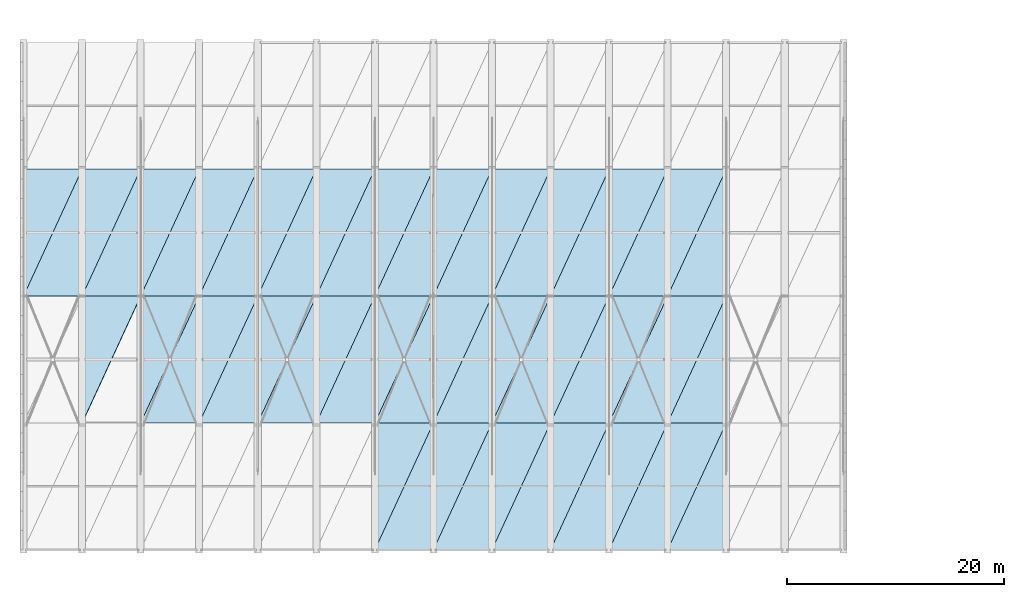
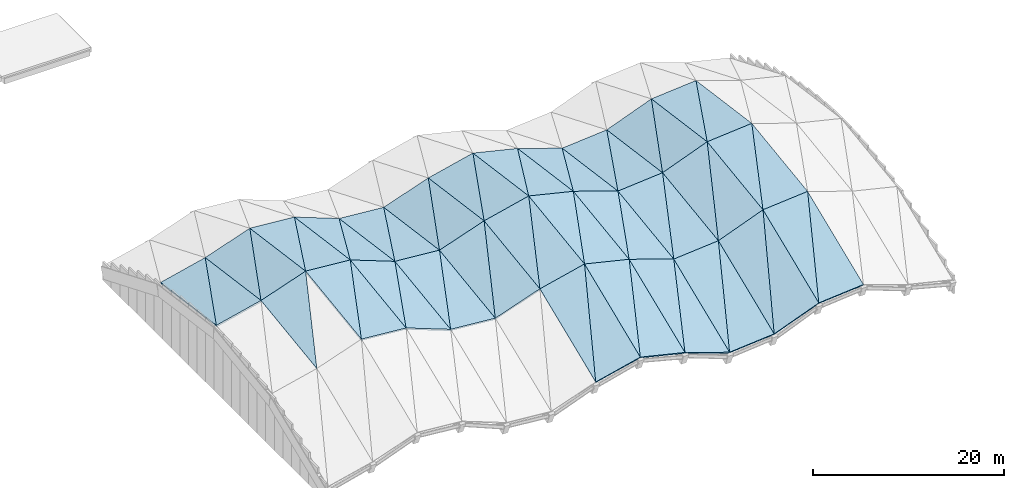
# One storey, part 6 of 22: 57 slabs.
"""IFC4 building model written with IfcOpenShell, lengths in metres."""

from ifc_helpers import new_model, si_unit, direction, frame, origin, place, context, subcontext, project, spatial, polyline, outline, extrude, material, layer, layer_set, type_object, element, save


model = new_model("IFC4")

# Units and contexts
model_context = context("Model", 3, precision=1e-05, world=origin(), true_north=direction((0.0, 1.0)))
body_context = subcontext(model_context, "Body", "Model", "MODEL_VIEW")
ifc_project = project(units=[si_unit("LENGTHUNIT", "METRE"), si_unit("AREAUNIT", "SQUARE_METRE"), si_unit("VOLUMEUNIT", "CUBIC_METRE"), si_unit("PLANEANGLEUNIT", "RADIAN"), si_unit("MASSUNIT", "GRAM", prefix="KILO")], contexts=[model_context])

# Site, building, storey
site_placement = place(None, origin())
site = spatial("IfcSite", under=ifc_project, at=site_placement, CompositionType="ELEMENT")
building_placement = place(site_placement, origin())
building = spatial("IfcBuilding", under=site, at=building_placement, Name="Lusvemor Sports Hall", CompositionType="ELEMENT")
storey_placement = place(building_placement, frame((0.0, 0.0, 23.39990234375)))
storey = spatial("IfcBuildingStorey", under=building, at=storey_placement, Name="Roof", CompositionType="ELEMENT", Elevation=23.39990234375)

# Slabs
ifc_material_1 = material(Name="Concrete C40/50", Category="concrete")
ifc_layer_1 = layer(ifc_material_1, 0.2099609375)
ifc_layer_set_1 = layer_set([ifc_layer_1], Name="Concrete C40/50")
slab_type_1 = type_object("IfcSlabType", Name="ROOF_WAVE_210", PredefinedType="ROOF", material=ifc_layer_set_1)
slab_1_placement = place(storey_placement, frame((0.0, 23.39990234375, -4.52978515625), z_axis=(-0.230397082563, 0.13244404407, 0.964041368167), x_axis=(0.972609588082, 0.0, 0.232444808871)))
element("IfcSlab", 1, at=slab_1_placement, inside=storey, type_object=slab_type_1, Name="Wave Barrel-Vault Roof Facet 01-3A", PredefinedType="ROOF", context=body_context, shape_type="SweptSolid", body=[
    extrude(outline(polyline([(0.0, 0.0), (5.551973175998167, 2.7755575615628914e-17), (5.178336305489252, 11.804184466699587), (0.0, 0.0)])), origin(), (0.0, 0.0, -1.0), 0.2099609375),
])
slab_2_placement = place(storey_placement, frame((0.0, 23.39990234375, -4.52978515625), z_axis=(-0.230437740563, 0.132462476852, 0.964029117792), x_axis=(0.418919509674, 0.907690504641, -0.024584389346)))
element("IfcSlab", 2, at=slab_2_placement, inside=storey, type_object=slab_type_1, Name="Wave Barrel-Vault Roof Facet 01-3B", PredefinedType="ROOF", context=body_context, shape_type="SweptSolid", body=[
    extrude(outline(polyline([(0.0, 0.0), (12.890071288267565, -6.800116025829084e-16), (10.659679674862543, 5.084327841294749), (0.0, 0.0)])), origin(), (0.0, 0.0, -1.0), 0.2099609375),
])
slab_3_placement = place(storey_placement, frame((5.39990234375, 11.699951171875, -4.8466796875), z_axis=(-0.323721555088, -0.128779407177, 0.937347437751), x_axis=(0.404635258661, 0.876682286758, 0.260189307108)))
element("IfcSlab", 3, at=slab_3_placement, inside=storey, type_object=slab_type_1, Name="Wave Barrel-Vault Roof Facet 02-2B", PredefinedType="ROOF", context=body_context, shape_type="SweptSolid", body=[
    extrude(outline(polyline([(0.0, 0.0), (13.345714118558847, 2.220446049250313e-16), (10.675373932202008, 5.050648860903866), (0.0, 0.0)])), origin(), (0.0, 0.0, -1.0), 0.2099609375),
])
slab_4_placement = place(storey_placement, frame((5.39990234375, 23.39990234375, -3.2392578125), z_axis=(-0.323721667111, 0.128776764581, 0.937347762118), x_axis=(0.945218017812, 0.0, 0.326439732269)))
element("IfcSlab", 4, at=slab_4_placement, inside=storey, type_object=slab_type_1, Name="Wave Barrel-Vault Roof Facet 02-3A", PredefinedType="ROOF", context=body_context, shape_type="SweptSolid", body=[
    extrude(outline(polyline([(0.0, 0.0), (5.713122668648188, -2.7755575615628914e-17), (5.188396302129424, 11.798433695840965), (0.0, 0.0)])), origin(), (0.0, 0.0, -1.0), 0.2099609375),
])
slab_5_placement = place(storey_placement, frame((5.39990234375, 23.39990234375, -3.2392578125), z_axis=(-0.323721667111, 0.128776764581, 0.937347762118), x_axis=(0.418978096704, 0.907776405192, 0.019983809938)))
element("IfcSlab", 5, at=slab_5_placement, inside=storey, type_object=slab_type_1, Name="Wave Barrel-Vault Roof Facet 02-3B", PredefinedType="ROOF", context=body_context, shape_type="SweptSolid", body=[
    extrude(outline(polyline([(0.0, 0.0), (12.888851533907346, -2.3592239273284576e-16), (10.589038827581613, 5.229783183158218), (0.0, 0.0)])), origin(), (0.0, 0.0, -1.0), 0.2099609375),
])
slab_6_placement = place(storey_placement, frame((10.800048828125, 11.699951171875, -2.981689453125), z_axis=(0.084220885197, -0.135624946613, 0.987174106403), x_axis=(0.996380411873, 0.0, -0.085006322326)))
element("IfcSlab", 6, at=slab_6_placement, inside=storey, type_object=slab_type_1, Name="Wave Barrel-Vault Roof Facet 03-2A", PredefinedType="ROOF", context=body_context, shape_type="SweptSolid", body=[
    extrude(outline(polyline([(0.0, 0.0), (5.419518769541163, -6.938893903907228e-18), (5.282877747521176, 11.8090639654288), (0.0, 0.0)])), origin(), (0.0, 0.0, -1.0), 0.2099609375),
])
slab_7_placement = place(storey_placement, frame((10.800048828125, 11.699951171875, -2.981689453125), z_axis=(0.084220885197, -0.135624946613, 0.987174106403), x_axis=(0.417403852805, 0.904387595533, 0.0886402883)))
element("IfcSlab", 7, at=slab_7_placement, inside=storey, type_object=slab_type_1, Name="Wave Barrel-Vault Roof Facet 03-2B", PredefinedType="ROOF", context=body_context, shape_type="SweptSolid", body=[
    extrude(outline(polyline([(0.0, 0.0), (12.936877097462258, -5.551115123125783e-17), (10.723773046601432, 4.947055099094043), (0.0, 0.0)])), origin(), (0.0, 0.0, -1.0), 0.2099609375),
])
slab_8_placement = place(storey_placement, frame((10.800048828125, 23.39990234375, -1.374267578125), z_axis=(0.084220917522, 0.135622168667, 0.987174485295), x_axis=(0.996380411873, 0.0, -0.085006322326)))
element("IfcSlab", 8, at=slab_8_placement, inside=storey, type_object=slab_type_1, Name="Wave Barrel-Vault Roof Facet 03-3A", PredefinedType="ROOF", context=body_context, shape_type="SweptSolid", body=[
    extrude(outline(polyline([(0.0, 0.0), (5.419518769541163, -6.938893903907228e-18), (5.556159791561151, 11.80930585030199), (0.0, 0.0)])), origin(), (0.0, 0.0, -1.0), 0.2099609375),
])
slab_9_placement = place(storey_placement, frame((10.800048828125, 23.39990234375, -1.374267578125), z_axis=(0.084220917522, 0.135622168667, 0.987174485295), x_axis=(0.413751467223, 0.8964926899, -0.158463182876)))
element("IfcSlab", 9, at=slab_9_placement, inside=storey, type_object=slab_type_1, Name="Wave Barrel-Vault Roof Facet 03-3B", PredefinedType="ROOF", context=body_context, shape_type="SweptSolid", body=[
    extrude(outline(polyline([(0.0, 0.0), (13.05107720823602, 1.2975731600306517e-15), (10.74385675459153, 4.903867603401777), (0.0, 0.0)])), origin(), (0.0, 0.0, -1.0), 0.2099609375),
])
slab_10_placement = place(storey_placement, frame((16.199951171875, 11.699951171875, -3.4423828125), z_axis=(0.355027562363, -0.127260816691, 0.926153396851), x_axis=(0.933745411849, 0.0, -0.35793785194)))
element("IfcSlab", 10, at=slab_10_placement, inside=storey, type_object=slab_type_1, Name="Wave Barrel-Vault Roof Facet 04-2A", PredefinedType="ROOF", context=body_context, shape_type="SweptSolid", body=[
    extrude(outline(polyline([(0.0, 0.0), (5.783317825019924, -2.7755575615628914e-17), (5.20787330474988, 11.795859911263186), (0.0, 0.0)])), origin(), (0.0, 0.0, -1.0), 0.2099609375),
])
slab_11_placement = place(storey_placement, frame((16.199951171875, 11.699951171875, -3.4423828125), z_axis=(0.35499184085, -0.127243695197, 0.926169441821), x_axis=(0.418799442409, 0.907370391002, -0.035860850125)))
element("IfcSlab", 11, at=slab_11_placement, inside=storey, type_object=slab_type_1, Name="Wave Barrel-Vault Roof Facet 04-2B", PredefinedType="ROOF", context=body_context, shape_type="SweptSolid", body=[
    extrude(outline(polyline([(0.0, 0.0), (12.89434974725257, 3.3306690738754696e-16), (10.558545754575416, 5.290536273103625), (0.0, 0.0)])), origin(), (0.0, 0.0, -1.0), 0.2099609375),
])
slab_12_placement = place(storey_placement, frame((16.199951171875, 23.39990234375, -1.8349609375), z_axis=(0.35499108778, 0.127260095913, 0.926167477071), x_axis=(0.93375952043, 0.0, -0.357901044993)))
element("IfcSlab", 12, at=slab_12_placement, inside=storey, type_object=slab_type_1, Name="Wave Barrel-Vault Roof Facet 04-3A", PredefinedType="ROOF", context=body_context, shape_type="SweptSolid", body=[
    extrude(outline(polyline([(0.0, 0.0), (5.783230442342041, -2.7755575615628914e-17), (6.358615789334087, 11.79610495336954), (0.0, 0.0)])), origin(), (0.0, 0.0, -1.0), 0.2099609375),
])
slab_13_placement = place(storey_placement, frame((16.199951171875, 23.39990234375, -1.8349609375), z_axis=(0.355028555404, 0.127239191655, 0.926155987377), x_axis=(0.402973467223, 0.873100069768, -0.27442422066)))
element("IfcSlab", 13, at=slab_13_placement, inside=storey, type_object=slab_type_1, Name="Wave Barrel-Vault Roof Facet 04-3B", PredefinedType="ROOF", context=body_context, shape_type="SweptSolid", body=[
    extrude(outline(polyline([(0.0, 0.0), (13.400749487520395, 1.1102230246251565e-15), (10.656556838964107, 5.0907928432418865), (0.0, 0.0)])), origin(), (0.0, 0.0, -1.0), 0.2099609375),
])
slab_14_placement = place(storey_placement, frame((21.60009765625, 11.699951171875, -5.512451171875), z_axis=(0.08417656937, -0.13562545629, 0.987177816189), x_axis=(0.996384226422, 0.0, -0.084961599197)))
element("IfcSlab", 14, at=slab_14_placement, inside=storey, type_object=slab_type_1, Name="Wave Barrel-Vault Roof Facet 05-2A", PredefinedType="ROOF", context=body_context, shape_type="SweptSolid", body=[
    extrude(outline(polyline([(0.0, 0.0), (5.419498021503858, 1.3877787807814457e-17), (5.282928888420194, 11.809064797026753), (0.0, 0.0)])), origin(), (0.0, 0.0, -1.0), 0.2099609375),
])
slab_15_placement = place(storey_placement, frame((21.60009765625, 11.699951171875, -5.512451171875), z_axis=(0.084220649887, -0.135645166797, 0.987171348276), x_axis=(0.417403154503, 0.904386082524, 0.088659011658)))
element("IfcSlab", 15, at=slab_15_placement, inside=storey, type_object=slab_type_1, Name="Wave Barrel-Vault Roof Facet 05-2B", PredefinedType="ROOF", context=body_context, shape_type="SweptSolid", body=[
    extrude(outline(polyline([(0.0, 0.0), (12.93689874044321, -4.996003610813204e-16), (10.723807086072203, 4.947060644742731), (0.0, 0.0)])), origin(), (0.0, 0.0, -1.0), 0.2099609375),
])
slab_16_placement = place(storey_placement, frame((21.60009765625, 23.39990234375, -3.90478515625), z_axis=(0.084220917522, 0.135622168667, 0.987174485295), x_axis=(0.996380411873, 0.0, -0.085006322326)))
element("IfcSlab", 16, at=slab_16_placement, inside=storey, type_object=slab_type_1, Name="Wave Barrel-Vault Roof Facet 05-3A", PredefinedType="ROOF", context=body_context, shape_type="SweptSolid", body=[
    extrude(outline(polyline([(0.0, 0.0), (5.419518769541163, -6.938893903907228e-18), (5.556159791561151, 11.80930585030199), (0.0, 0.0)])), origin(), (0.0, 0.0, -1.0), 0.2099609375),
])
slab_17_placement = place(storey_placement, frame((21.60009765625, 23.39990234375, -3.90478515625), z_axis=(0.0841763665, 0.135642898191, 0.987175437039), x_axis=(0.413751467223, 0.8964926899, -0.158463182876)))
element("IfcSlab", 17, at=slab_17_placement, inside=storey, type_object=slab_type_1, Name="Wave Barrel-Vault Roof Facet 05-3B", PredefinedType="ROOF", context=body_context, shape_type="SweptSolid", body=[
    extrude(outline(polyline([(0.0, 0.0), (13.05107720823602, 5.551115123125783e-17), (10.743895441892036, 4.903862875543532), (0.0, 0.0)])), origin(), (0.0, 0.0, -1.0), 0.2099609375),
])
slab_18_placement = place(storey_placement, frame((27.0, 11.699951171875, -5.972900390625), z_axis=(-0.323734657307, -0.128778797008, 0.937342996506), x_axis=(0.945213463751, 0.0, 0.326452918419)))
element("IfcSlab", 18, at=slab_18_placement, inside=storey, type_object=slab_type_1, Name="Wave Barrel-Vault Roof Facet 06-2A", PredefinedType="ROOF", context=body_context, shape_type="SweptSolid", body=[
    extrude(outline(polyline([(0.0, 0.0), (5.712891903086462, 2.7755575615628914e-17), (6.237639465310796, 11.798190645367082), (0.0, 0.0)])), origin(), (0.0, 0.0, -1.0), 0.2099609375),
])
slab_19_placement = place(storey_placement, frame((27.0, 11.699951171875, -5.972900390625), z_axis=(-0.323734657307, -0.128778797008, 0.937342996506), x_axis=(0.40461996013, 0.876688776078, 0.260191233065)))
element("IfcSlab", 19, at=slab_19_placement, inside=storey, type_object=slab_type_1, Name="Wave Barrel-Vault Roof Facet 06-2B", PredefinedType="ROOF", context=body_context, shape_type="SweptSolid", body=[
    extrude(outline(polyline([(0.0, 0.0), (13.34561533252139, -4.440892098500626e-16), (10.675452952753917, 5.050481834639677), (0.0, 0.0)])), origin(), (0.0, 0.0, -1.0), 0.2099609375),
])
slab_20_placement = place(storey_placement, frame((27.0, 23.39990234375, -4.365478515625), z_axis=(-0.323734769333, 0.128776154424, 0.937343320868), x_axis=(0.945213463751, 0.0, 0.326452918419)))
element("IfcSlab", 20, at=slab_20_placement, inside=storey, type_object=slab_type_1, Name="Wave Barrel-Vault Roof Facet 06-3A", PredefinedType="ROOF", context=body_context, shape_type="SweptSolid", body=[
    extrude(outline(polyline([(0.0, 0.0), (5.712891903086462, -2.7755575615628914e-17), (5.188144340862129, 11.798432753159002), (0.0, 0.0)])), origin(), (0.0, 0.0, -1.0), 0.2099609375),
])
slab_21_placement = place(storey_placement, frame((27.0, 23.39990234375, -4.365478515625), z_axis=(-0.323734769333, 0.128776154424, 0.937343320868), x_axis=(0.418962479647, 0.907783609485, 0.019983968534)))
element("IfcSlab", 21, at=slab_21_placement, inside=storey, type_object=slab_type_1, Name="Wave Barrel-Vault Roof Facet 06-3B", PredefinedType="ROOF", context=body_context, shape_type="SweptSolid", body=[
    extrude(outline(polyline([(0.0, 0.0), (12.888749246239328, 5.273559366969494e-16), (10.589122864292047, 5.229613025817773), (0.0, 0.0)])), origin(), (0.0, 0.0, -1.0), 0.2099609375),
])
slab_22_placement = place(storey_placement, frame((32.39990234375, 11.699951171875, -4.10791015625), z_axis=(-0.230387134869, -0.132447077123, 0.964043328823), x_axis=(0.972611963853, 0.0, 0.232434867803)))
element("IfcSlab", 22, at=slab_22_placement, inside=storey, type_object=slab_type_1, Name="Wave Barrel-Vault Roof Facet 07-2A", PredefinedType="ROOF", context=body_context, shape_type="SweptSolid", body=[
    extrude(outline(polyline([(0.0, 0.0), (5.5522106298009, 0.0), (5.925831520819543, 11.803942982676686), (0.0, 0.0)])), origin(), (0.0, 0.0, -1.0), 0.2099609375),
])
slab_23_placement = place(storey_placement, frame((32.39990234375, 11.699951171875, -4.10791015625), z_axis=(-0.230387134869, -0.132447077123, 0.964043328823), x_axis=(0.408857397334, 0.88582996756, 0.219410339815)))
element("IfcSlab", 23, at=slab_23_placement, inside=storey, type_object=slab_type_1, Name="Wave Barrel-Vault Roof Facet 07-2B", PredefinedType="ROOF", context=body_context, shape_type="SweptSolid", body=[
    extrude(outline(polyline([(0.0, 0.0), (13.207897226713289, -7.216449660063518e-16), (10.716852346854632, 4.962029653700597), (0.0, 0.0)])), origin(), (0.0, 0.0, -1.0), 0.2099609375),
])
slab_24_placement = place(storey_placement, frame((32.39990234375, 23.39990234375, -2.50048828125), z_axis=(-0.230387219199, 0.132444361913, 0.964043681701), x_axis=(0.972611963853, 0.0, 0.232434867803)))
element("IfcSlab", 24, at=slab_24_placement, inside=storey, type_object=slab_type_1, Name="Wave Barrel-Vault Roof Facet 07-3A", PredefinedType="ROOF", context=body_context, shape_type="SweptSolid", body=[
    extrude(outline(polyline([(0.0, 0.0), (5.5522106298009, 0.0), (5.178589738782256, 11.80418497248624), (0.0, 0.0)])), origin(), (0.0, 0.0, -1.0), 0.2099609375),
])
slab_25_placement = place(storey_placement, frame((32.39990234375, 23.39990234375, -2.50048828125), z_axis=(-0.230387219199, 0.132444361913, 0.964043681701), x_axis=(0.418935125812, 0.907683302564, -0.024584194281)))
element("IfcSlab", 25, at=slab_25_placement, inside=storey, type_object=slab_type_1, Name="Wave Barrel-Vault Roof Facet 07-3B", PredefinedType="ROOF", context=body_context, shape_type="SweptSolid", body=[
    extrude(outline(polyline([(0.0, 0.0), (12.890173565444757, 4.579669976578771e-16), (10.659589093555015, 5.084440558354328), (0.0, 0.0)])), origin(), (0.0, 0.0, -1.0), 0.2099609375),
])
slab_26_placement = place(storey_placement, frame((37.800048828125, 11.699951171875, -2.8173828125), z_axis=(0.230396998229, -0.132446759274, 0.964041015292), x_axis=(0.972609588082, 0.0, -0.232444808871)))
element("IfcSlab", 26, at=slab_26_placement, inside=storey, type_object=slab_type_1, Name="Wave Barrel-Vault Roof Facet 08-2A", PredefinedType="ROOF", context=body_context, shape_type="SweptSolid", body=[
    extrude(outline(polyline([(0.0, 0.0), (5.551973175998167, -2.7755575615628914e-17), (5.178336305489252, 11.803942476879662), (0.0, 0.0)])), origin(), (0.0, 0.0, -1.0), 0.2099609375),
])
slab_27_placement = place(storey_placement, frame((37.800048828125, 11.699951171875, -2.8173828125), z_axis=(0.230396998229, -0.132446759274, 0.964041015292), x_axis=(0.418926711785, 0.907687169223, 0.024584812004)))
element("IfcSlab", 27, at=slab_27_placement, inside=storey, type_object=slab_type_1, Name="Wave Barrel-Vault Roof Facet 08-2B", PredefinedType="ROOF", context=body_context, shape_type="SweptSolid", body=[
    extrude(outline(polyline([(0.0, 0.0), (12.88984968454761, -7.632783294297951e-16), (10.659413723852168, 5.084246411439927), (0.0, 0.0)])), origin(), (0.0, 0.0, -1.0), 0.2099609375),
])
slab_28_placement = place(storey_placement, frame((37.800048828125, 23.39990234375, -1.2099609375), z_axis=(0.230397082563, 0.13244404407, 0.964041368167), x_axis=(0.972609588082, 0.0, -0.232444808871)))
element("IfcSlab", 28, at=slab_28_placement, inside=storey, type_object=slab_type_1, Name="Wave Barrel-Vault Roof Facet 08-3A", PredefinedType="ROOF", context=body_context, shape_type="SweptSolid", body=[
    extrude(outline(polyline([(0.0, 0.0), (5.551973175998167, -2.7755575615628914e-17), (5.925610046507082, 11.804184466699587), (0.0, 0.0)])), origin(), (0.0, 0.0, -1.0), 0.2099609375),
])
slab_29_placement = place(storey_placement, frame((37.800048828125, 23.39990234375, -1.2099609375), z_axis=(0.230397082563, 0.13244404407, 0.964041368167), x_axis=(0.408835308241, 0.885840641657, -0.219408405318)))
element("IfcSlab", 29, at=slab_29_placement, inside=storey, type_object=slab_type_1, Name="Wave Barrel-Vault Roof Facet 08-3B", PredefinedType="ROOF", context=body_context, shape_type="SweptSolid", body=[
    extrude(outline(polyline([(0.0, 0.0), (13.208013679094122, 4.996003610813204e-16), (10.717190393401632, 4.961875200612694), (0.0, 0.0)])), origin(), (0.0, 0.0, -1.0), 0.2099609375),
])
slab_30_placement = place(storey_placement, frame((43.199951171875, 11.699951171875, -4.10791015625), z_axis=(0.323721555088, -0.128779407177, 0.937347437751), x_axis=(0.945218017812, 0.0, -0.326439732269)))
element("IfcSlab", 30, at=slab_30_placement, inside=storey, type_object=slab_type_1, Name="Wave Barrel-Vault Roof Facet 09-2A", PredefinedType="ROOF", context=body_context, shape_type="SweptSolid", body=[
    extrude(outline(polyline([(0.0, 0.0), (5.713122668648188, -2.7755575615628914e-17), (5.188396302129424, 11.798191588068391), (0.0, 0.0)])), origin(), (0.0, 0.0, -1.0), 0.2099609375),
])
slab_31_placement = place(storey_placement, frame((43.199951171875, 11.699951171875, -4.10791015625), z_axis=(0.323721555088, -0.128779407177, 0.937347437751), x_axis=(0.418985301185, 0.907773072412, -0.019984153567)))
element("IfcSlab", 31, at=slab_31_placement, inside=storey, type_object=slab_type_1, Name="Wave Barrel-Vault Roof Facet 09-2B", PredefinedType="ROOF", context=body_context, shape_type="SweptSolid", body=[
    extrude(outline(polyline([(0.0, 0.0), (12.888629909215256, 5.273559366969494e-16), (10.588777656771237, 5.229765792456674), (0.0, 0.0)])), origin(), (0.0, 0.0, -1.0), 0.2099609375),
])
slab_32_placement = place(storey_placement, frame((43.199951171875, 23.39990234375, -2.50048828125), z_axis=(0.323721667111, 0.128776764581, 0.937347762118), x_axis=(0.945218017812, 0.0, -0.326439732269)))
element("IfcSlab", 32, at=slab_32_placement, inside=storey, type_object=slab_type_1, Name="Wave Barrel-Vault Roof Facet 09-3A", PredefinedType="ROOF", context=body_context, shape_type="SweptSolid", body=[
    extrude(outline(polyline([(0.0, 0.0), (5.713122668648188, 2.7755575615628914e-17), (6.237849035166953, 11.798433695840966), (0.0, 0.0)])), origin(), (0.0, 0.0, -1.0), 0.2099609375),
])
slab_33_placement = place(storey_placement, frame((43.199951171875, 23.39990234375, -2.50048828125), z_axis=(0.323721667111, 0.128776764581, 0.937347762118), x_axis=(0.404628769354, 0.876686520301, -0.260185134343)))
element("IfcSlab", 33, at=slab_33_placement, inside=storey, type_object=slab_type_1, Name="Wave Barrel-Vault Roof Facet 09-3B", PredefinedType="ROOF", context=body_context, shape_type="SweptSolid", body=[
    extrude(outline(polyline([(0.0, 0.0), (13.345928152837061, -1.1102230246251565e-16), (10.67563079185196, 5.050671502972432), (0.0, 0.0)])), origin(), (0.0, 0.0, -1.0), 0.2099609375),
])
slab_34_placement = place(storey_placement, frame((48.60009765625, 11.699951171875, -5.972900390625), z_axis=(-0.084176334182, -0.135645676546, 0.987175058031), x_axis=(0.996384226422, 0.0, 0.084961599197)))
element("IfcSlab", 34, at=slab_34_placement, inside=storey, type_object=slab_type_1, Name="Wave Barrel-Vault Roof Facet 10-2A", PredefinedType="ROOF", context=body_context, shape_type="SweptSolid", body=[
    extrude(outline(polyline([(0.0, 0.0), (5.419498021503858, 0.0), (5.55608789716545, 11.809097791445437), (0.0, 0.0)])), origin(), (0.0, 0.0, -1.0), 0.2099609375),
])
slab_35_placement = place(storey_placement, frame((48.60009765625, 11.699951171875, -5.972900390625), z_axis=(-0.084220885197, -0.135624946613, 0.987174106403), x_axis=(0.413758406055, 0.896489017696, 0.158465840388)))
element("IfcSlab", 35, at=slab_35_placement, inside=storey, type_object=slab_type_1, Name="Wave Barrel-Vault Roof Facet 10-2B", PredefinedType="ROOF", context=body_context, shape_type="SweptSolid", body=[
    extrude(outline(polyline([(0.0, 0.0), (13.050858338398664, -4.649058915617843e-16), (10.74359919143973, 4.903849398399516), (0.0, 0.0)])), origin(), (0.0, 0.0, -1.0), 0.2099609375),
])
slab_36_placement = place(storey_placement, frame((48.60009765625, 23.39990234375, -4.365478515625), z_axis=(-0.084220682222, 0.135642388451, 0.98717172728), x_axis=(0.996380411873, 0.0, 0.085006322326)))
element("IfcSlab", 36, at=slab_36_placement, inside=storey, type_object=slab_type_1, Name="Wave Barrel-Vault Roof Facet 10-3A", PredefinedType="ROOF", context=body_context, shape_type="SweptSolid", body=[
    extrude(outline(polyline([(0.0, 0.0), (5.419518769541163, 6.938893903907228e-18), (5.282856994024514, 11.809338843794565), (0.0, 0.0)])), origin(), (0.0, 0.0, -1.0), 0.2099609375),
])
slab_37_placement = place(storey_placement, frame((48.60009765625, 23.39990234375, -4.365478515625), z_axis=(-0.084176601679, 0.135622678333, 0.987178195085), x_axis=(0.417396030684, 0.904389518695, -0.088657498515)))
element("IfcSlab", 37, at=slab_37_placement, inside=storey, type_object=slab_type_1, Name="Wave Barrel-Vault Roof Facet 10-3B", PredefinedType="ROOF", context=body_context, shape_type="SweptSolid", body=[
    extrude(outline(polyline([(0.0, 0.0), (12.937119538246098, -4.163336342344337e-16), (10.724044009810472, 4.947045129218412), (0.0, 0.0)])), origin(), (0.0, 0.0, -1.0), 0.2099609375),
])
slab_38_placement = place(storey_placement, frame((54.0, 11.699951171875, -5.512451171875), z_axis=(-0.355042463683, -0.127241078614, 0.926150396477), x_axis=(0.933740003011, 0.0, 0.357951961549)))
element("IfcSlab", 38, at=slab_38_placement, inside=storey, type_object=slab_type_1, Name="Wave Barrel-Vault Roof Facet 11-2A", PredefinedType="ROOF", context=body_context, shape_type="SweptSolid", body=[
    extrude(outline(polyline([(0.0, 0.0), (5.783089860491729, -2.7755575615628914e-17), (6.358469673684154, 11.795829796121101), (0.0, 0.0)])), origin(), (0.0, 0.0, -1.0), 0.2099609375),
])
slab_39_placement = place(storey_placement, frame((54.0, 11.699951171875, -5.512451171875), z_axis=(-0.355004994979, -0.12726198332, 0.926161887113), x_axis=(0.402964616912, 0.873102149212, 0.274430600622)))
element("IfcSlab", 39, at=slab_39_placement, inside=storey, type_object=slab_type_1, Name="Wave Barrel-Vault Roof Facet 11-2B", PredefinedType="ROOF", context=body_context, shape_type="SweptSolid", body=[
    extrude(outline(polyline([(0.0, 0.0), (13.400437946956043, -4.440892098500626e-16), (10.656445264111273, 5.090542385154569), (0.0, 0.0)])), origin(), (0.0, 0.0, -1.0), 0.2099609375),
])
slab_40_placement = place(storey_placement, frame((54.0, 23.39990234375, -3.90478515625), z_axis=(-0.355005987975, 0.127240358093, 0.926164477711), x_axis=(0.933754112623, 0.0, 0.357915153577)))
element("IfcSlab", 40, at=slab_40_placement, inside=storey, type_object=slab_type_1, Name="Wave Barrel-Vault Roof Facet 11-3A", PredefinedType="ROOF", context=body_context, shape_type="SweptSolid", body=[
    extrude(outline(polyline([(0.0, 0.0), (5.783002474369244, 0.0), (5.2076818271156, 11.796074838170501), (0.0, 0.0)])), origin(), (0.0, 0.0, -1.0), 0.2099609375),
])
slab_41_placement = place(storey_placement, frame((54.0, 23.39990234375, -3.90478515625), z_axis=(-0.355041710537, 0.127257479003, 0.926148431849), x_axis=(0.418776634433, 0.907380930852, 0.035860518384)))
element("IfcSlab", 41, at=slab_41_placement, inside=storey, type_object=slab_type_1, Name="Wave Barrel-Vault Roof Facet 11-3B", PredefinedType="ROOF", context=body_context, shape_type="SweptSolid", body=[
    extrude(outline(polyline([(0.0, 0.0), (12.894469031340112, 7.494005416219807e-16), (10.558882377098133, 5.290478552555432), (0.0, 0.0)])), origin(), (0.0, 0.0, -1.0), 0.2099609375),
])
slab_42_placement = place(storey_placement, frame((59.39990234375, 11.699951171875, -3.4423828125), z_axis=(-0.084217104577, -0.135624990105, 0.987174422965), x_axis=(0.996380737374, 0.0, 0.085002506959)))
element("IfcSlab", 42, at=slab_42_placement, inside=storey, type_object=slab_type_1, Name="Wave Barrel-Vault Roof Facet 12-2A", PredefinedType="ROOF", context=body_context, shape_type="SweptSolid", body=[
    extrude(outline(polyline([(0.0, 0.0), (5.419762026517391, 0.0), (5.556396915633077, 11.809064036390184), (0.0, 0.0)])), origin(), (0.0, 0.0, -1.0), 0.2099609375),
])
slab_43_placement = place(storey_placement, frame((59.39990234375, 11.699951171875, -3.4423828125), z_axis=(-0.084217104577, -0.135624990105, 0.987174422965), x_axis=(0.413773910198, 0.896482078685, 0.158464613829)))
element("IfcSlab", 43, at=slab_43_placement, inside=storey, type_object=slab_type_1, Name="Wave Barrel-Vault Roof Facet 12-2B", PredefinedType="ROOF", context=body_context, shape_type="SweptSolid", body=[
    extrude(outline(polyline([(0.0, 0.0), (13.05095935552712, 1.942890293094024e-16), (10.743516033756832, 4.90403158033241), (0.0, 0.0)])), origin(), (0.0, 0.0, -1.0), 0.2099609375),
])
slab_44_placement = place(storey_placement, frame((59.39990234375, 23.39990234375, -1.8349609375), z_axis=(-0.084217136901, 0.135622212157, 0.987174801857), x_axis=(0.996380737374, 0.0, 0.085002506959)))
element("IfcSlab", 44, at=slab_44_placement, inside=storey, type_object=slab_type_1, Name="Wave Barrel-Vault Roof Facet 12-3A", PredefinedType="ROOF", context=body_context, shape_type="SweptSolid", body=[
    extrude(outline(polyline([(0.0, 0.0), (5.419762026517391, 0.0), (5.283127137401705, 11.80930592126192), (0.0, 0.0)])), origin(), (0.0, 0.0, -1.0), 0.2099609375),
])
slab_45_placement = place(storey_placement, frame((59.39990234375, 23.39990234375, -1.8349609375), z_axis=(-0.084217136901, 0.135622212157, 0.987174801857), x_axis=(0.417412312357, 0.904383907835, -0.08863807727)))
element("IfcSlab", 45, at=slab_45_placement, inside=storey, type_object=slab_type_1, Name="Wave Barrel-Vault Roof Facet 12-3B", PredefinedType="ROOF", context=body_context, shape_type="SweptSolid", body=[
    extrude(outline(polyline([(0.0, 0.0), (12.937199801035083, 2.7755575615628914e-17), (10.723947143511591, 4.947255107435344), (0.0, 0.0)])), origin(), (0.0, 0.0, -1.0), 0.2099609375),
])
ifc_material_2 = material(Name="Concrete C40/50", Category="concrete")
ifc_layer_2 = layer(ifc_material_2, 0.195068359375)
ifc_layer_set_2 = layer_set([ifc_layer_2], Name="Concrete C40/50")
slab_type_2 = type_object("IfcSlabType", Name="ROOF_WAVE_EAVE_195", PredefinedType="ROOF", material=ifc_layer_set_2)
slab_46_placement = place(storey_placement, frame((32.39990234375, 0.0, -8.930419921875), z_axis=(-0.215743844953, -0.372105261326, 0.902769221816), x_axis=(0.972611963853, 0.0, 0.232434867803)))
element("IfcSlab", 46, at=slab_46_placement, inside=storey, type_object=slab_type_2, Name="Wave Barrel-Vault Roof Facet 07-1A", PredefinedType="ROOF", context=body_context, shape_type="SweptSolid", body=[
    extrude(outline(polyline([(0.0, 0.0), (5.5522106298009, 0.0), (6.673130049650727, 12.605117909722672), (0.0, 0.0)])), origin(), (0.0, 0.0, -1.0), 0.195068359375),
])
slab_47_placement = place(storey_placement, frame((32.39990234375, 0.0, -8.930419921875), z_axis=(-0.215743844953, -0.372105261326, 0.902769221816), x_axis=(0.378624816871, 0.820328093446, 0.428608291046)))
element("IfcSlab", 47, at=slab_47_placement, inside=storey, type_object=slab_type_2, Name="Wave Barrel-Vault Roof Facet 07-1B", PredefinedType="ROOF", context=body_context, shape_type="SweptSolid", body=[
    extrude(outline(polyline([(0.0, 0.0), (14.262526500503434, 2.7755575615628914e-16), (11.664766307426369, 4.907003653650394), (0.0, 0.0)])), origin(), (0.0, 0.0, -1.0), 0.195068359375),
])
slab_48_placement = place(storey_placement, frame((37.800048828125, 0.0, -7.639892578125), z_axis=(0.21575314513, -0.372104478248, 0.90276732198), x_axis=(0.972609588082, 0.0, -0.232444808871)))
element("IfcSlab", 48, at=slab_48_placement, inside=storey, type_object=slab_type_2, Name="Wave Barrel-Vault Roof Facet 08-1A", PredefinedType="ROOF", context=body_context, shape_type="SweptSolid", body=[
    extrude(outline(polyline([(0.0, 0.0), (5.551973175998167, 0.0), (4.431005815250508, 12.605113646451034), (0.0, 0.0)])), origin(), (0.0, 0.0, -1.0), 0.195068359375),
])
slab_49_placement = place(storey_placement, frame((37.800048828125, 0.0, -7.639892578125), z_axis=(0.21575314513, -0.372104478248, 0.90276732198), x_axis=(0.404146832489, 0.875663651929, 0.264345430221)))
element("IfcSlab", 49, at=slab_49_placement, inside=storey, type_object=slab_type_2, Name="Wave Barrel-Vault Roof Facet 08-1B", PredefinedType="ROOF", context=body_context, shape_type="SweptSolid", body=[
    extrude(outline(polyline([(0.0, 0.0), (13.361238811380101, 4.440892098500626e-16), (11.520030389298043, 5.237781753133406), (0.0, 0.0)])), origin(), (0.0, 0.0, -1.0), 0.195068359375),
])
slab_50_placement = place(storey_placement, frame((43.199951171875, 0.0, -8.930419921875), z_axis=(0.304170036605, -0.363023278915, 0.880735310861), x_axis=(0.945218017812, 0.0, -0.326439732269)))
element("IfcSlab", 50, at=slab_50_placement, inside=storey, type_object=slab_type_2, Name="Wave Barrel-Vault Roof Facet 09-1A", PredefinedType="ROOF", context=body_context, shape_type="SweptSolid", body=[
    extrude(outline(polyline([(0.0, 0.0), (5.713122668648188, 0.0), (4.138863871891633, 12.556558728594485), (0.0, 0.0)])), origin(), (0.0, 0.0, -1.0), 0.195068359375),
])
slab_51_placement = place(storey_placement, frame((43.199951171875, 0.0, -8.930419921875), z_axis=(0.304170036605, -0.363023278915, 0.880735310861), x_axis=(0.408449251507, 0.884945679279, 0.2236970131)))
element("IfcSlab", 51, at=slab_51_placement, inside=storey, type_object=slab_type_2, Name="Wave Barrel-Vault Roof Facet 09-1B", PredefinedType="ROOF", context=body_context, shape_type="SweptSolid", body=[
    extrude(outline(polyline([(0.0, 0.0), (13.221095312215706, 8.881784197001252e-16), (11.432602267535406, 5.425961965969905), (0.0, 0.0)])), origin(), (0.0, 0.0, -1.0), 0.195068359375),
])
slab_52_placement = place(storey_placement, frame((48.60009765625, 0.0, -10.79541015625), z_axis=(-0.078591787266, -0.379900965278, 0.921682476537), x_axis=(0.996384226422, 0.0, 0.084961599197)))
element("IfcSlab", 52, at=slab_52_placement, inside=storey, type_object=slab_type_2, Name="Wave Barrel-Vault Roof Facet 10-1A", PredefinedType="ROOF", context=body_context, shape_type="SweptSolid", body=[
    extrude(outline(polyline([(0.0, 0.0), (5.419498021503858, -2.7755575615628914e-17), (5.829226163332777, 12.64822440952093), (0.0, 0.0)])), origin(), (0.0, 0.0, -1.0), 0.195068359375),
])
slab_53_placement = place(storey_placement, frame((48.60009765625, 0.0, -10.79541015625), z_axis=(-0.078591787266, -0.379900965278, 0.921682476537), x_axis=(0.387732909013, 0.840099656326, 0.379335944395)))
element("IfcSlab", 53, at=slab_53_placement, inside=storey, type_object=slab_type_2, Name="Wave Barrel-Vault Roof Facet 10-1B", PredefinedType="ROOF", context=body_context, shape_type="SweptSolid", body=[
    extrude(outline(polyline([(0.0, 0.0), (13.92686103818389, 6.106226635438361e-16), (11.658476254817074, 4.9219294265231115), (0.0, 0.0)])), origin(), (0.0, 0.0, -1.0), 0.195068359375),
])
slab_54_placement = place(storey_placement, frame((54.0, 0.0, -10.3349609375), z_axis=(-0.334064287099, -0.359186772725, 0.871427515279), x_axis=(0.933740003011, 0.0, 0.357951961549)))
element("IfcSlab", 54, at=slab_54_placement, inside=storey, type_object=slab_type_2, Name="Wave Barrel-Vault Roof Facet 11-1A", PredefinedType="ROOF", context=body_context, shape_type="SweptSolid", body=[
    extrude(outline(polyline([(0.0, 0.0), (5.783089860491729, 0.0), (7.509316690684615, 12.536570455851548), (0.0, 0.0)])), origin(), (0.0, 0.0, -1.0), 0.195068359375),
])
slab_55_placement = place(storey_placement, frame((54.0, 0.0, -10.3349609375), z_axis=(-0.334064287099, -0.359186772725, 0.871427515279), x_axis=(0.369513738795, 0.800624238371, 0.471657106143)))
element("IfcSlab", 55, at=slab_55_placement, inside=storey, type_object=slab_type_2, Name="Wave Barrel-Vault Roof Facet 11-1B", PredefinedType="ROOF", context=body_context, shape_type="SweptSolid", body=[
    extrude(outline(polyline([(0.0, 0.0), (14.613536052424973, 1.2212453270876722e-15), (11.641835496356393, 4.961161571606387), (0.0, 0.0)])), origin(), (0.0, 0.0, -1.0), 0.195068359375),
])
slab_56_placement = place(storey_placement, frame((59.39990234375, 0.0, -8.264892578125), z_axis=(-0.078629667795, -0.37989982697, 0.921679714874), x_axis=(0.996380737374, 0.0, 0.085002506959)))
element("IfcSlab", 56, at=slab_56_placement, inside=storey, type_object=slab_type_2, Name="Wave Barrel-Vault Roof Facet 12-1A", PredefinedType="ROOF", context=body_context, shape_type="SweptSolid", body=[
    extrude(outline(polyline([(0.0, 0.0), (5.419762026517391, -2.7755575615628914e-17), (5.8296874464296256, 12.648218017330246), (0.0, 0.0)])), origin(), (0.0, 0.0, -1.0), 0.195068359375),
])
slab_57_placement = place(storey_placement, frame((59.39990234375, 0.0, -8.264892578125), z_axis=(-0.078629667795, -0.37989982697, 0.921679714874), x_axis=(0.387745225167, 0.840088359586, 0.379348373462)))
element("IfcSlab", 57, at=slab_57_placement, inside=storey, type_object=slab_type_2, Name="Wave Barrel-Vault Roof Facet 12-1B", PredefinedType="ROOF", context=body_context, shape_type="SweptSolid", body=[
    extrude(outline(polyline([(0.0, 0.0), (13.927048313873856, 2.7755575615628914e-16), (11.65840402281115, 4.922100517534002), (0.0, 0.0)])), origin(), (0.0, 0.0, -1.0), 0.195068359375),
])

save(model, "model.ifc")
